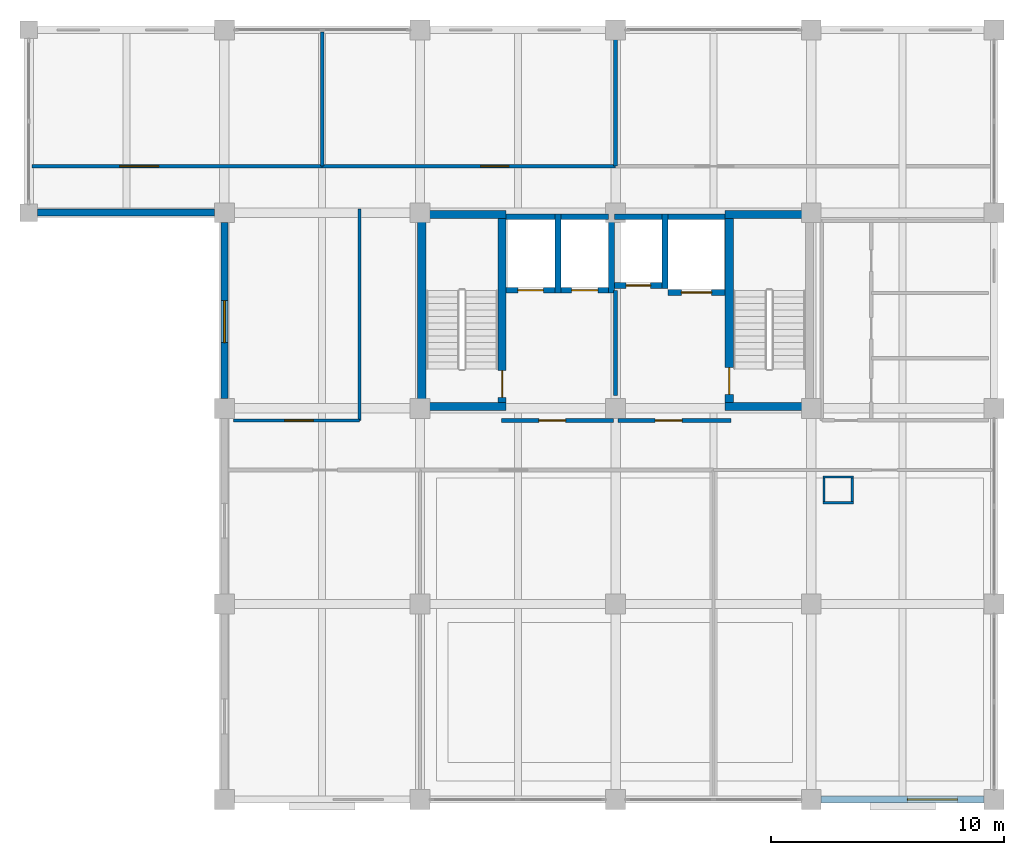
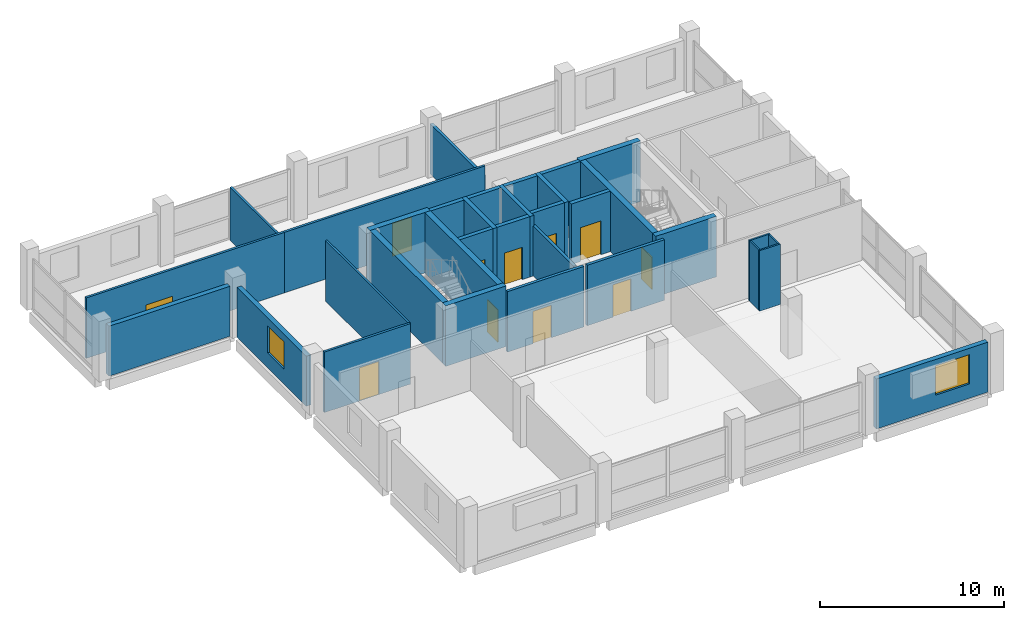
# One storey, part 7 of 9: 34 walls, 11 doors, 2 windows, 13 openings.
"""IFC4 building model written with IfcOpenShell, lengths in metres."""

from ifc_helpers import new_model, si_unit, direction, frame, frame_2d, origin, place, context, subcontext, project, spatial, rectangle, extrude, material, layer, layer_set, type_object, element, fill, save


model = new_model("IFC4")

# Units and contexts
model_context = context("Model", 3, precision=1e-05, world=origin(), true_north=direction((0.0, 1.0)))
body_context = subcontext(model_context, "Body", "Model", "MODEL_VIEW")
ifc_project = project(units=[si_unit("LENGTHUNIT", "METRE"), si_unit("AREAUNIT", "SQUARE_METRE"), si_unit("VOLUMEUNIT", "CUBIC_METRE"), si_unit("PLANEANGLEUNIT", "RADIAN"), si_unit("MASSUNIT", "GRAM", prefix="KILO")], contexts=[model_context])

# Site, building, storey
site_placement = place(None, origin())
site = spatial("IfcSite", under=ifc_project, at=site_placement, CompositionType="ELEMENT")
building_placement = place(site_placement, origin())
building = spatial("IfcBuilding", under=site, at=building_placement, Name="Brinegate Botanical Conservatory", CompositionType="ELEMENT")
storey_placement = place(building_placement, frame((0.0, 0.0, 36.0)))
storey = spatial("IfcBuildingStorey", under=building, at=storey_placement, Name="L09", CompositionType="ELEMENT", Elevation=36.0)

# Wall, opening, window
ifc_material_1 = material(Name="Insulated Minnan red clay brick masonry", Category="masonry")
ifc_layer_1 = layer(ifc_material_1, 0.300048828125, Name="Insulated Minnan red clay brick masonry", Category="masonry")
ifc_layer_set_1 = layer_set([ifc_layer_1], Name="Insulated Minnan red clay brick masonry")
wall_type_1 = type_object("IfcWallType", Name="Wall_EW-300B", PredefinedType="STANDARD", material=ifc_layer_set_1)
wall_1_placement = place(storey_placement, frame((163.02490234375, 78.39990234375, 0.0), z_axis=(0.0, 0.0, 1.0), x_axis=(-1.0, 0.0, 0.0)))
wall_1 = element("IfcWall", 1, at=wall_1_placement, inside=storey, type_object=wall_type_1, Name="Tower south facade wall L09.4", PredefinedType="STANDARD", context=body_context, shape_type="SweptSolid", body=[
    extrude(rectangle(XDim=7.0, YDim=0.300048828125, at=frame_2d((3.5, 0.0))), origin(), (0.0, 0.0, 1.0), 3.320068359375),
])
opening_1_placement = place(wall_1_placement, frame((1.14990234375, 0.0, 0.949951171875)))
opening_1 = element("IfcOpeningElement", 2, at=opening_1_placement, cuts=wall_1, Name="Opening WN-24", PredefinedType="OPENING", context=body_context, shape_type="SweptSolid", body=[
    extrude(rectangle(XDim=2.14990234375, YDim=1.949951171875, at=frame_2d((1.074951171875, 0.97509765625))), frame((0.0, 0.159912109375, 0.0), z_axis=(0.0, -1.0, 0.0), x_axis=(1.0, 0.0, 0.0)), (0.0, 0.0, 1.0), 0.320068359375),
])
ifc_material_2 = material(Name="Thermally broken aluminium-framed Low-E glass", Category="aluminium")
window_type_1 = type_object("IfcWindowType", Name="Win_WN-24", PartitioningType="DOUBLE_PANEL_VERTICAL", PredefinedType="WINDOW", material=ifc_material_2)
window_1_placement = place(opening_1_placement, origin())
window_1 = element("IfcWindow", 3, at=window_1_placement, inside=storey, type_object=window_type_1, Name="Tower south window L09.4", OverallHeight=1.949951171875, OverallWidth=2.14990234375, PartitioningType="DOUBLE_PANEL_VERTICAL", PredefinedType="WINDOW", context=body_context, shape_type="SweptSolid", body=[
    extrude(rectangle(XDim=2.14990234375, YDim=1.949951171875, at=frame_2d((1.074951171875, 0.97509765625))), frame((0.0, 0.030029296875, 0.0), z_axis=(0.0, -1.0, 0.0), x_axis=(1.0, 0.0, 0.0)), (0.0, 0.0, 1.0), 0.06005859375),
])
fill(opening_1, window_1)

wall_2_placement = place(storey_placement, frame((130.39990234375, 95.625, 0.0), z_axis=(0.0, 0.0, 1.0), x_axis=(0.0, 1.0, 0.0)))
wall_2 = element("IfcWall", 4, at=wall_2_placement, inside=storey, type_object=wall_type_1, Name="Tower mid-west wall L09", PredefinedType="STANDARD", context=body_context, shape_type="SweptSolid", body=[
    extrude(rectangle(XDim=7.550048828125, YDim=0.300048828125, at=frame_2d((3.77490234375, 0.0))), origin(), (0.0, 0.0, 1.0), 3.320068359375),
])
opening_2_placement = place(wall_2_placement, frame((2.39990234375, 0.0, 1.0)))
opening_2 = element("IfcOpeningElement", 5, at=opening_2_placement, cuts=wall_2, Name="Opening WN-05", PredefinedType="OPENING", context=body_context, shape_type="SweptSolid", body=[
    extrude(rectangle(XDim=1.800048828125, YDim=1.800048828125, at=frame_2d((0.89990234375, 0.89990234375))), frame((0.0, 0.159912109375, 0.0), z_axis=(0.0, -1.0, 0.0), x_axis=(1.0, 0.0, 0.0)), (0.0, 0.0, 1.0), 0.320068359375),
])
window_type_2 = type_object("IfcWindowType", Name="Win_WN-05", PartitioningType="DOUBLE_PANEL_VERTICAL", PredefinedType="WINDOW", material=ifc_material_2)
window_2_placement = place(opening_2_placement, origin())
window_2 = element("IfcWindow", 6, at=window_2_placement, inside=storey, type_object=window_type_2, Name="Tower mid-west window L09", OverallHeight=1.800048828125, OverallWidth=1.800048828125, PartitioningType="DOUBLE_PANEL_VERTICAL", PredefinedType="WINDOW", context=body_context, shape_type="SweptSolid", body=[
    extrude(rectangle(XDim=1.800048828125, YDim=1.800048828125, at=frame_2d((0.89990234375, 0.89990234375))), frame((0.0, 0.030029296875, 0.0), z_axis=(0.0, -1.0, 0.0), x_axis=(1.0, 0.0, 0.0)), (0.0, 0.0, 1.0), 0.06005859375),
])
fill(opening_2, window_2)

# Walls
wall_3_placement = place(storey_placement, frame((129.97509765625, 103.60009765625, 0.0), z_axis=(0.0, 0.0, 1.0), x_axis=(-1.0, 0.0, 0.0)))
element("IfcWall", 7, at=wall_3_placement, inside=storey, type_object=wall_type_1, Name="Tower west setback return wall L09", PredefinedType="STANDARD", context=body_context, shape_type="SweptSolid", body=[
    extrude(rectangle(XDim=7.60009765625, YDim=0.300048828125, at=frame_2d((3.800048828125, 0.0))), origin(), (0.0, 0.0, 1.0), 3.320068359375),
])
ifc_material_3 = material(Name="Gypsum-clad steel-stud fire-rated shaft partition", Category="steel")
ifc_layer_2 = layer(ifc_material_3, 0.10498046875, Name="Gypsum-clad steel-stud fire-rated shaft partition", Category="steel")
ifc_layer_set_2 = layer_set([ifc_layer_2], Name="Gypsum-clad steel-stud fire-rated shaft partition")
wall_type_2 = type_object("IfcWallType", Name="Wall_PW-105", PredefinedType="PARTITIONING", material=ifc_layer_set_2)
for number, where, z_axis, x_axis, name in (
    (8, (156.094970703125, 91.1474609375, 0.0), (0.0, 0.0, 1.0), (1.0, 0.0, 0.0), "Service riser shaft wall L09 S"),
    (9, (156.094970703125, 92.25244140625, 0.0), (0.0, 0.0, 1.0), (1.0, 0.0, 0.0), "Service riser shaft wall L09 N"),
):
    element("IfcWall", number, at=place(storey_placement, frame(where, z_axis=z_axis, x_axis=x_axis)), inside=storey, type_object=wall_type_2, Name=name, PredefinedType="PARTITIONING", context=body_context, shape_type="SweptSolid", body=[
        extrude(rectangle(XDim=1.31005859375, YDim=0.10498046875, at=frame_2d((0.655029296875, 0.0))), origin(), (0.0, 0.0, 1.0), 4.02001953125),
    ])
for number, where, z_axis, x_axis, name in (
    (10, (156.1474609375, 91.199951171875, 0.0), (0.0, 0.0, 1.0), (0.0, 1.0, 0.0), "Service riser shaft wall L09 W"),
    (11, (157.3525390625, 91.199951171875, 0.0), (0.0, 0.0, 1.0), (0.0, 1.0, 0.0), "Service riser shaft wall L09 E"),
):
    element("IfcWall", number, at=place(storey_placement, frame(where, z_axis=z_axis, x_axis=x_axis)), inside=storey, type_object=wall_type_2, Name=name, PredefinedType="PARTITIONING", context=body_context, shape_type="SweptSolid", body=[
        extrude(rectangle(XDim=1.0, YDim=0.10498046875, at=frame_2d((0.5, 0.0))), origin(), (0.0, 0.0, 1.0), 4.02001953125),
    ])
ifc_material_4 = material(Name="Gypsum-clad steel-stud partition", Category="steel")
ifc_layer_3 = layer(ifc_material_4, 0.1201171875, Name="Gypsum-clad steel-stud partition", Category="steel")
ifc_layer_set_3 = layer_set([ifc_layer_3], Name="Gypsum-clad steel-stud partition")
wall_type_3 = type_object("IfcWallType", Name="Wall_PW-120", PredefinedType="PARTITIONING", material=ifc_layer_set_3)
wall_4_placement = place(storey_placement, frame((136.199951171875, 94.679931640625, 0.0), z_axis=(0.0, 0.0, 1.0), x_axis=(0.0, 1.0, 0.0)))
element("IfcWall", 12, at=wall_4_placement, inside=storey, type_object=wall_type_3, Name="Interior partition P-L09-XCORR-W", PredefinedType="PARTITIONING", context=body_context, shape_type="SweptSolid", body=[
    extrude(rectangle(XDim=9.070068359375, YDim=0.1201171875, at=frame_2d((4.53515625, 0.0))), origin(), (0.0, 0.0, 1.0), 4.02001953125),
])
ifc_layer_4 = layer(ifc_material_4, 0.135009765625, Name="Gypsum-clad steel-stud partition", Category="steel")
ifc_layer_set_4 = layer_set([ifc_layer_4], Name="Gypsum-clad steel-stud partition")
wall_type_4 = type_object("IfcWallType", Name="Wall_PW-135", PredefinedType="PARTITIONING", material=ifc_layer_set_4)
wall_5_placement = place(storey_placement, frame((134.60009765625, 105.60009765625, 0.0), z_axis=(0.0, 0.0, 1.0), x_axis=(0.0, 1.0, 0.0)))
element("IfcWall", 13, at=wall_5_placement, inside=storey, type_object=wall_type_4, Name="Interior partition P-L09-NDIV-N2", PredefinedType="PARTITIONING", context=body_context, shape_type="SweptSolid", body=[
    extrude(rectangle(XDim=5.75, YDim=0.135009765625, at=frame_2d((2.875, 0.0))), origin(), (0.0, 0.0, 1.0), 3.52001953125),
])

# Wall, opening, door
ifc_material_5 = material(Name="Gypsum-clad acoustic steel-stud partition", Category="steel")
ifc_layer_5 = layer(ifc_material_5, 0.14501953125, Name="Gypsum-clad acoustic steel-stud partition", Category="steel")
ifc_layer_set_5 = layer_set([ifc_layer_5], Name="Gypsum-clad acoustic steel-stud partition")
wall_type_5 = type_object("IfcWallType", Name="Wall_PW-150", PredefinedType="PARTITIONING", material=ifc_layer_set_5)
wall_6_placement = place(storey_placement, frame((130.800048828125, 94.679931640625, 0.0), z_axis=(0.0, 0.0, 1.0), x_axis=(1.0, 0.0, 0.0)))
wall_6 = element("IfcWall", 14, at=wall_6_placement, inside=storey, type_object=wall_type_5, Name="Interior partition P-L09-MIDW-S", PredefinedType="PARTITIONING", context=body_context, shape_type="SweptSolid", body=[
    extrude(rectangle(XDim=5.39990234375, YDim=0.14501953125, at=frame_2d((2.699951171875, 0.0))), origin(), (0.0, 0.0, 1.0), 4.02001953125),
])
opening_3_placement = place(wall_6_placement, frame((2.199951171875, 0.0, 0.0)))
opening_3 = element("IfcOpeningElement", 15, at=opening_3_placement, cuts=wall_6, Name="Opening DR-07", PredefinedType="OPENING", context=body_context, shape_type="SweptSolid", body=[
    extrude(rectangle(XDim=1.219970703125, YDim=2.199951171875, at=frame_2d((0.60986328125, 1.10009765625))), frame((0.0, 0.08251953125, 0.0), z_axis=(0.0, -1.0, 0.0), x_axis=(1.0, 0.0, 0.0)), (0.0, 0.0, 1.0), 0.1650390625),
])
ifc_material_6 = material(Name="Acoustic cleanroom door", Category="steel")
door_type_1 = type_object("IfcDoorType", Name="Door_DR-07", OperationType="NOTDEFINED", PredefinedType="DOOR", material=ifc_material_6)
door_1_placement = place(opening_3_placement, origin())
door_1 = element("IfcDoor", 16, at=door_1_placement, inside=storey, type_object=door_type_1, Name="DR-P-L09-MIDW-S-1", OperationType="SINGLE_SWING_RIGHT", OverallHeight=2.199951171875, OverallWidth=1.219970703125, PredefinedType="DOOR", context=body_context, shape_type="SweptSolid", body=[
    extrude(rectangle(XDim=1.219970703125, YDim=2.199951171875, at=frame_2d((0.60986328125, 1.10009765625))), frame((0.0, 0.02490234375, 0.0), z_axis=(0.0, -1.0, 0.0), x_axis=(1.0, 0.0, 0.0)), (0.0, 0.0, 1.0), 0.050048828125),
])
fill(opening_3, door_1)

wall_7_placement = place(storey_placement, frame((122.14990234375, 105.60009765625, 0.0), z_axis=(0.0, 0.0, 1.0), x_axis=(1.0, 0.0, 0.0)))
wall_7 = element("IfcWall", 17, at=wall_7_placement, inside=storey, type_object=wall_type_5, Name="Interior partition P-L09-NB-N1", PredefinedType="PARTITIONING", context=body_context, shape_type="SweptSolid", body=[
    extrude(rectangle(XDim=12.4501953125, YDim=0.14501953125, at=frame_2d((6.22509765625, 0.0))), origin(), (0.0, 0.0, 1.0), 4.02001953125),
])
opening_4_placement = place(wall_7_placement, frame((3.75, 0.0, 0.0)))
opening_4 = element("IfcOpeningElement", 18, at=opening_4_placement, cuts=wall_7, Name="Opening DR-23", PredefinedType="OPENING", context=body_context, shape_type="SweptSolid", body=[
    extrude(rectangle(XDim=1.679931640625, YDim=2.239990234375, at=frame_2d((0.83984375, 1.1201171875))), frame((0.0, 0.08251953125, 0.0), z_axis=(0.0, -1.0, 0.0), x_axis=(1.0, 0.0, 0.0)), (0.0, 0.0, 1.0), 0.1650390625),
])
ifc_material_7 = material(Name="Powder-coated steel lab door", Category="steel")
door_type_2 = type_object("IfcDoorType", Name="Door_DR-23", OperationType="NOTDEFINED", PredefinedType="DOOR", material=ifc_material_7)
door_2_placement = place(opening_4_placement, origin())
door_2 = element("IfcDoor", 19, at=door_2_placement, inside=storey, type_object=door_type_2, Name="DR-P-L09-NB-N1-1", OperationType="SINGLE_SWING_LEFT", OverallHeight=2.239990234375, OverallWidth=1.679931640625, PredefinedType="DOOR", context=body_context, shape_type="SweptSolid", body=[
    extrude(rectangle(XDim=1.679931640625, YDim=2.239990234375, at=frame_2d((0.83984375, 1.1201171875))), frame((0.0, 0.02490234375, 0.0), z_axis=(0.0, -1.0, 0.0), x_axis=(1.0, 0.0, 0.0)), (0.0, 0.0, 1.0), 0.050048828125),
])
fill(opening_4, door_2)

wall_8_placement = place(storey_placement, frame((134.60009765625, 105.60009765625, 0.0), z_axis=(0.0, 0.0, 1.0), x_axis=(1.0, 0.0, 0.0)))
wall_8 = element("IfcWall", 20, at=wall_8_placement, inside=storey, type_object=wall_type_5, Name="Interior partition P-L09-NB-N2", PredefinedType="PARTITIONING", context=body_context, shape_type="SweptSolid", body=[
    extrude(rectangle(XDim=12.599853515625, YDim=0.14501953125, at=frame_2d((6.2998046875, 0.0))), origin(), (0.0, 0.0, 1.0), 4.02001953125),
])
opening_5_placement = place(wall_8_placement, frame((6.800048828125, 0.0, 0.0)))
opening_5 = element("IfcOpeningElement", 21, at=opening_5_placement, cuts=wall_8, Name="Opening DR-07", PredefinedType="OPENING", context=body_context, shape_type="SweptSolid", body=[
    extrude(rectangle(XDim=1.219970703125, YDim=2.199951171875, at=frame_2d((0.60986328125, 1.10009765625))), frame((0.0, 0.08251953125, 0.0), z_axis=(0.0, -1.0, 0.0), x_axis=(1.0, 0.0, 0.0)), (0.0, 0.0, 1.0), 0.1650390625),
])
door_3_placement = place(opening_5_placement, origin())
door_3 = element("IfcDoor", 22, at=door_3_placement, inside=storey, type_object=door_type_1, Name="DR-P-L09-NB-N2-1", OperationType="SINGLE_SWING_RIGHT", OverallHeight=2.199951171875, OverallWidth=1.219970703125, PredefinedType="DOOR", context=body_context, shape_type="SweptSolid", body=[
    extrude(rectangle(XDim=1.219970703125, YDim=2.199951171875, at=frame_2d((0.60986328125, 1.10009765625))), frame((0.0, 0.02490234375, 0.0), z_axis=(0.0, -1.0, 0.0), x_axis=(1.0, 0.0, 0.0)), (0.0, 0.0, 1.0), 0.050048828125),
])
fill(opening_5, door_3)

ifc_material_8 = material(Name="Autoclaved aerated concrete C40/50 blockwork", Category="masonry")
ifc_layer_6 = layer(ifc_material_8, 0.179931640625, Name="Autoclaved aerated concrete C40/50 blockwork", Category="masonry")
ifc_layer_set_6 = layer_set([ifc_layer_6], Name="Autoclaved aerated concrete C40/50 blockwork")
wall_type_6 = type_object("IfcWallType", Name="Wall_PW-180F", PredefinedType="STANDARD", material=ifc_layer_set_6)
wall_9_placement = place(storey_placement, frame((142.300048828125, 94.679931640625, 0.0), z_axis=(0.0, 0.0, 1.0), x_axis=(1.0, 0.0, 0.0)))
wall_9 = element("IfcWall", 23, at=wall_9_placement, inside=storey, type_object=wall_type_6, Name="Interior partition P-L09-CORE-FF", PredefinedType="STANDARD", context=body_context, shape_type="SweptSolid", body=[
    extrude(rectangle(XDim=4.800048828125, YDim=0.179931640625, at=frame_2d((2.39990234375, 0.0))), origin(), (0.0, 0.0, 1.0), 4.02001953125),
])
opening_6_placement = place(wall_9_placement, frame((1.60009765625, 0.0, 0.0)))
opening_6 = element("IfcOpeningElement", 24, at=opening_6_placement, cuts=wall_9, Name="Opening FD-B1", PredefinedType="OPENING", context=body_context, shape_type="SweptSolid", body=[
    extrude(rectangle(XDim=1.14990234375, YDim=2.14990234375, at=frame_2d((0.574951171875, 1.074951171875))), frame((0.0, 0.099853515625, 0.0), z_axis=(0.0, -1.0, 0.0), x_axis=(1.0, 0.0, 0.0)), (0.0, 0.0, 1.0), 0.199951171875),
])
ifc_material_9 = material(Name="Steel smoke-proof fire door assembly", Category="steel")
door_type_3 = type_object("IfcDoorType", Name="Door_FD-B1", OperationType="NOTDEFINED", PredefinedType="DOOR", material=ifc_material_9)
door_4_placement = place(opening_6_placement, origin())
door_4 = element("IfcDoor", 25, at=door_4_placement, inside=storey, type_object=door_type_3, Name="DR-P-L09-CORE-FF-1", OperationType="SINGLE_SWING_LEFT", OverallHeight=2.14990234375, OverallWidth=1.14990234375, PredefinedType="DOOR", context=body_context, shape_type="SweptSolid", body=[
    extrude(rectangle(XDim=1.14990234375, YDim=2.14990234375, at=frame_2d((0.574951171875, 1.074951171875))), frame((0.0, 0.02490234375, 0.0), z_axis=(0.0, -1.0, 0.0), x_axis=(1.0, 0.0, 0.0)), (0.0, 0.0, 1.0), 0.050048828125),
])
fill(opening_6, door_4)

wall_10_placement = place(storey_placement, frame((147.300048828125, 94.679931640625, 0.0), z_axis=(0.0, 0.0, 1.0), x_axis=(1.0, 0.0, 0.0)))
wall_10 = element("IfcWall", 26, at=wall_10_placement, inside=storey, type_object=wall_type_6, Name="Interior partition P-L09-CORE-PAX", PredefinedType="STANDARD", context=body_context, shape_type="SweptSolid", body=[
    extrude(rectangle(XDim=4.849853515625, YDim=0.179931640625, at=frame_2d((2.4248046875, 0.0))), origin(), (0.0, 0.0, 1.0), 4.02001953125),
])
opening_7_placement = place(wall_10_placement, frame((1.60009765625, 0.0, 0.0)))
opening_7 = element("IfcOpeningElement", 27, at=opening_7_placement, cuts=wall_10, Name="Opening FD-B1", PredefinedType="OPENING", context=body_context, shape_type="SweptSolid", body=[
    extrude(rectangle(XDim=1.14990234375, YDim=2.14990234375, at=frame_2d((0.574951171875, 1.074951171875))), frame((0.0, 0.099853515625, 0.0), z_axis=(0.0, -1.0, 0.0), x_axis=(1.0, 0.0, 0.0)), (0.0, 0.0, 1.0), 0.199951171875),
])
door_5_placement = place(opening_7_placement, origin())
door_5 = element("IfcDoor", 28, at=door_5_placement, inside=storey, type_object=door_type_3, Name="DR-P-L09-CORE-PAX-1", OperationType="SINGLE_SWING_RIGHT", OverallHeight=2.14990234375, OverallWidth=1.14990234375, PredefinedType="DOOR", context=body_context, shape_type="SweptSolid", body=[
    extrude(rectangle(XDim=1.14990234375, YDim=2.14990234375, at=frame_2d((0.574951171875, 1.074951171875))), frame((0.0, 0.02490234375, 0.0), z_axis=(0.0, -1.0, 0.0), x_axis=(1.0, 0.0, 0.0)), (0.0, 0.0, 1.0), 0.050048828125),
])
fill(opening_7, door_5)

# Walls
wall_11_placement = place(storey_placement, frame((147.199951171875, 95.75, 0.0), z_axis=(0.0, 0.0, 1.0), x_axis=(0.0, 1.0, 0.0)))
element("IfcWall", 29, at=wall_11_placement, inside=storey, type_object=wall_type_6, Name="Interior partition P-L09-CORE-DIV", PredefinedType="STANDARD", context=body_context, shape_type="SweptSolid", body=[
    extrude(rectangle(XDim=4.5, YDim=0.179931640625, at=frame_2d((2.25, 0.0))), origin(), (0.0, 0.0, 1.0), 3.320068359375),
])
wall_12_placement = place(storey_placement, frame((147.199951171875, 105.60009765625, 0.0), z_axis=(0.0, 0.0, 1.0), x_axis=(0.0, 1.0, 0.0)))
element("IfcWall", 30, at=wall_12_placement, inside=storey, type_object=wall_type_6, Name="Interior partition P-L09-NDIV-N3", PredefinedType="STANDARD", context=body_context, shape_type="SweptSolid", body=[
    extrude(rectangle(XDim=5.75, YDim=0.179931640625, at=frame_2d((2.875, 0.0))), origin(), (0.0, 0.0, 1.0), 3.320068359375),
])

# Wall, opening, door
ifc_material_10 = material(Name="Concrete C40/50", Category="concrete")
ifc_layer_7 = layer(ifc_material_10, 0.25, Name="Concrete C40/50", Category="concrete")
ifc_layer_set_7 = layer_set([ifc_layer_7], Name="Concrete C40/50")
wall_type_7 = type_object("IfcWallType", Name="Wall_SW-250", PredefinedType="SHEAR", material=ifc_layer_set_7)
wall_13_placement = place(storey_placement, frame((142.5, 100.27490234375, 0.0), z_axis=(0.0, 0.0, 1.0), x_axis=(1.0, 0.0, 0.0)))
wall_13 = element("IfcWall", 31, at=wall_13_placement, inside=storey, type_object=wall_type_7, Name="Lift shaft LF1 shear wall L09 S", PredefinedType="SHEAR", context=body_context, shape_type="SweptSolid", body=[
    extrude(rectangle(XDim=2.10009765625, YDim=0.25, at=frame_2d((1.050048828125, 0.0))), origin(), (0.0, 0.0, 1.0), 4.02001953125),
])
opening_8_placement = place(wall_13_placement, frame((0.5, 0.0, 0.0)))
opening_8 = element("IfcOpeningElement", 32, at=opening_8_placement, cuts=wall_13, Name="Opening LD-01", PredefinedType="OPENING", context=body_context, shape_type="SweptSolid", body=[
    extrude(rectangle(XDim=1.10009765625, YDim=2.14990234375, at=frame_2d((0.550048828125, 1.074951171875))), frame((0.0, 0.135009765625, 0.0), z_axis=(0.0, -1.0, 0.0), x_axis=(1.0, 0.0, 0.0)), (0.0, 0.0, 1.0), 0.27001953125),
])
ifc_material_11 = material(Name="Brushed stainless steel S355 landing door", Category="steel")
door_type_4 = type_object("IfcDoorType", Name="Door_LD-01", OperationType="SLIDING_TO_LEFT", PredefinedType="DOOR", material=ifc_material_11)
door_6_placement = place(opening_8_placement, origin())
door_6 = element("IfcDoor", 33, at=door_6_placement, inside=storey, type_object=door_type_4, Name="LD-LF1-L09", OperationType="SLIDING_TO_LEFT", OverallHeight=2.14990234375, OverallWidth=1.10009765625, PredefinedType="DOOR", context=body_context, shape_type="SweptSolid", body=[
    extrude(rectangle(XDim=1.10009765625, YDim=2.14990234375, at=frame_2d((0.550048828125, 1.074951171875))), frame((0.0, 0.02490234375, 0.0), z_axis=(0.0, -1.0, 0.0), x_axis=(1.0, 0.0, 0.0)), (0.0, 0.0, 1.0), 0.050048828125),
])
fill(opening_8, door_6)

# Walls
wall_14_placement = place(storey_placement, frame((142.5, 103.425048828125, 0.0), z_axis=(0.0, 0.0, 1.0), x_axis=(1.0, 0.0, 0.0)))
element("IfcWall", 34, at=wall_14_placement, inside=storey, type_object=wall_type_7, Name="Lift shaft LF1 shear wall L09 N", PredefinedType="SHEAR", context=body_context, shape_type="SweptSolid", body=[
    extrude(rectangle(XDim=2.10009765625, YDim=0.25, at=frame_2d((1.050048828125, 0.0))), origin(), (0.0, 0.0, 1.0), 4.02001953125),
])
wall_15_placement = place(storey_placement, frame((144.72509765625, 100.14990234375, 0.0), z_axis=(0.0, 0.0, 1.0), x_axis=(0.0, 1.0, 0.0)))
element("IfcWall", 35, at=wall_15_placement, inside=storey, type_object=wall_type_7, Name="Lift shaft LF1 shear wall L09 E", PredefinedType="SHEAR", context=body_context, shape_type="SweptSolid", body=[
    extrude(rectangle(XDim=3.400146484375, YDim=0.25, at=frame_2d((1.7001953125, 0.0))), origin(), (0.0, 0.0, 1.0), 4.02001953125),
])

# Wall, opening, door
wall_16_placement = place(storey_placement, frame((144.85009765625, 100.27490234375, 0.0), z_axis=(0.0, 0.0, 1.0), x_axis=(1.0, 0.0, 0.0)))
wall_16 = element("IfcWall", 36, at=wall_16_placement, inside=storey, type_object=wall_type_7, Name="Lift shaft LF2 shear wall L09 S", PredefinedType="SHEAR", context=body_context, shape_type="SweptSolid", body=[
    extrude(rectangle(XDim=2.0498046875, YDim=0.25, at=frame_2d((1.02490234375, 0.0))), origin(), (0.0, 0.0, 1.0), 4.02001953125),
])
opening_9_placement = place(wall_16_placement, frame((0.465087890625, 0.0, 0.0)))
opening_9 = element("IfcOpeningElement", 37, at=opening_9_placement, cuts=wall_16, Name="Opening LD-02", PredefinedType="OPENING", context=body_context, shape_type="SweptSolid", body=[
    extrude(rectangle(XDim=1.1201171875, YDim=2.14990234375, at=frame_2d((0.56005859375, 1.074951171875))), frame((0.0, 0.135009765625, 0.0), z_axis=(0.0, -1.0, 0.0), x_axis=(1.0, 0.0, 0.0)), (0.0, 0.0, 1.0), 0.27001953125),
])
door_type_5 = type_object("IfcDoorType", Name="Door_LD-02", OperationType="SLIDING_TO_LEFT", PredefinedType="DOOR", material=ifc_material_11)
door_7_placement = place(opening_9_placement, origin())
door_7 = element("IfcDoor", 38, at=door_7_placement, inside=storey, type_object=door_type_5, Name="LD-LF2-L09", OperationType="SLIDING_TO_LEFT", OverallHeight=2.14990234375, OverallWidth=1.1201171875, PredefinedType="DOOR", context=body_context, shape_type="SweptSolid", body=[
    extrude(rectangle(XDim=1.1201171875, YDim=2.14990234375, at=frame_2d((0.56005859375, 1.074951171875))), frame((0.0, 0.02490234375, 0.0), z_axis=(0.0, -1.0, 0.0), x_axis=(1.0, 0.0, 0.0)), (0.0, 0.0, 1.0), 0.050048828125),
])
fill(opening_9, door_7)

# Walls
wall_17_placement = place(storey_placement, frame((144.85009765625, 103.425048828125, 0.0), z_axis=(0.0, 0.0, 1.0), x_axis=(1.0, 0.0, 0.0)))
element("IfcWall", 39, at=wall_17_placement, inside=storey, type_object=wall_type_7, Name="Lift shaft LF2 shear wall L09 N", PredefinedType="SHEAR", context=body_context, shape_type="SweptSolid", body=[
    extrude(rectangle(XDim=2.0498046875, YDim=0.25, at=frame_2d((1.02490234375, 0.0))), origin(), (0.0, 0.0, 1.0), 4.02001953125),
])
wall_18_placement = place(storey_placement, frame((147.02490234375, 100.14990234375, 0.0), z_axis=(0.0, 0.0, 1.0), x_axis=(0.0, 1.0, 0.0)))
element("IfcWall", 40, at=wall_18_placement, inside=storey, type_object=wall_type_7, Name="Lift shaft LF2 shear wall L09 E", PredefinedType="SHEAR", context=body_context, shape_type="SweptSolid", body=[
    extrude(rectangle(XDim=3.400146484375, YDim=0.25, at=frame_2d((1.7001953125, 0.0))), origin(), (0.0, 0.0, 1.0), 4.02001953125),
])

# Wall, opening, door
wall_19_placement = place(storey_placement, frame((147.14990234375, 100.47509765625, 0.0), z_axis=(0.0, 0.0, 1.0), x_axis=(1.0, 0.0, 0.0)))
wall_19 = element("IfcWall", 41, at=wall_19_placement, inside=storey, type_object=wall_type_7, Name="Lift shaft LF3 shear wall L09 S", PredefinedType="SHEAR", context=body_context, shape_type="SweptSolid", body=[
    extrude(rectangle(XDim=2.050048828125, YDim=0.25, at=frame_2d((1.02490234375, 0.0))), origin(), (0.0, 0.0, 1.0), 4.02001953125),
])
opening_10_placement = place(wall_19_placement, frame((0.4951171875, 0.0, 0.0)))
opening_10 = element("IfcOpeningElement", 42, at=opening_10_placement, cuts=wall_19, Name="Opening LD-03", PredefinedType="OPENING", context=body_context, shape_type="SweptSolid", body=[
    extrude(rectangle(XDim=1.06005859375, YDim=2.14990234375, at=frame_2d((0.530029296875, 1.074951171875))), frame((0.0, 0.135009765625, 0.0), z_axis=(0.0, -1.0, 0.0), x_axis=(1.0, 0.0, 0.0)), (0.0, 0.0, 1.0), 0.27001953125),
])
door_type_6 = type_object("IfcDoorType", Name="Door_LD-03", OperationType="SLIDING_TO_LEFT", PredefinedType="DOOR", material=ifc_material_11)
door_8_placement = place(opening_10_placement, origin())
door_8 = element("IfcDoor", 43, at=door_8_placement, inside=storey, type_object=door_type_6, Name="LD-LF3-L09", OperationType="SLIDING_TO_LEFT", OverallHeight=2.14990234375, OverallWidth=1.06005859375, PredefinedType="DOOR", context=body_context, shape_type="SweptSolid", body=[
    extrude(rectangle(XDim=1.06005859375, YDim=2.14990234375, at=frame_2d((0.530029296875, 1.074951171875))), frame((0.0, 0.02490234375, 0.0), z_axis=(0.0, -1.0, 0.0), x_axis=(1.0, 0.0, 0.0)), (0.0, 0.0, 1.0), 0.050048828125),
])
fill(opening_10, door_8)

# Walls
wall_20_placement = place(storey_placement, frame((147.14990234375, 103.425048828125, 0.0), z_axis=(0.0, 0.0, 1.0), x_axis=(1.0, 0.0, 0.0)))
element("IfcWall", 44, at=wall_20_placement, inside=storey, type_object=wall_type_7, Name="Lift shaft LF3 shear wall L09 N", PredefinedType="SHEAR", context=body_context, shape_type="SweptSolid", body=[
    extrude(rectangle(XDim=2.050048828125, YDim=0.25, at=frame_2d((1.02490234375, 0.0))), origin(), (0.0, 0.0, 1.0), 4.02001953125),
])
wall_21_placement = place(storey_placement, frame((149.324951171875, 100.35009765625, 0.0), z_axis=(0.0, 0.0, 1.0), x_axis=(0.0, 1.0, 0.0)))
element("IfcWall", 45, at=wall_21_placement, inside=storey, type_object=wall_type_7, Name="Lift shaft LF3 shear wall L09 E", PredefinedType="SHEAR", context=body_context, shape_type="SweptSolid", body=[
    extrude(rectangle(XDim=3.199951171875, YDim=0.25, at=frame_2d((1.60009765625, 0.0))), origin(), (0.0, 0.0, 1.0), 4.02001953125),
])

# Wall, opening, door
wall_22_placement = place(storey_placement, frame((149.449951171875, 100.175048828125, 0.0), z_axis=(0.0, 0.0, 1.0), x_axis=(1.0, 0.0, 0.0)))
wall_22 = element("IfcWall", 46, at=wall_22_placement, inside=storey, type_object=wall_type_7, Name="Lift shaft LF4 shear wall L09 S", PredefinedType="SHEAR", context=body_context, shape_type="SweptSolid", body=[
    extrude(rectangle(XDim=2.449951171875, YDim=0.25, at=frame_2d((1.22509765625, 0.0))), origin(), (0.0, 0.0, 1.0), 4.02001953125),
])
opening_11_placement = place(wall_22_placement, frame((0.574951171875, 0.0, 0.0)))
opening_11 = element("IfcOpeningElement", 47, at=opening_11_placement, cuts=wall_22, Name="Opening LD-04", PredefinedType="OPENING", context=body_context, shape_type="SweptSolid", body=[
    extrude(rectangle(XDim=1.300048828125, YDim=2.25, at=frame_2d((0.64990234375, 1.125))), frame((0.0, 0.135009765625, 0.0), z_axis=(0.0, -1.0, 0.0), x_axis=(1.0, 0.0, 0.0)), (0.0, 0.0, 1.0), 0.27001953125),
])
door_type_7 = type_object("IfcDoorType", Name="Door_LD-04", OperationType="SLIDING_TO_LEFT", PredefinedType="DOOR", material=ifc_material_11)
door_9_placement = place(opening_11_placement, origin())
door_9 = element("IfcDoor", 48, at=door_9_placement, inside=storey, type_object=door_type_7, Name="LD-LF4-L09", OperationType="SLIDING_TO_LEFT", OverallHeight=2.25, OverallWidth=1.300048828125, PredefinedType="DOOR", context=body_context, shape_type="SweptSolid", body=[
    extrude(rectangle(XDim=1.300048828125, YDim=2.25, at=frame_2d((0.64990234375, 1.125))), frame((0.0, 0.02490234375, 0.0), z_axis=(0.0, -1.0, 0.0), x_axis=(1.0, 0.0, 0.0)), (0.0, 0.0, 1.0), 0.050048828125),
])
fill(opening_11, door_9)

# Walls
wall_23_placement = place(storey_placement, frame((149.449951171875, 103.425048828125, 0.0), z_axis=(0.0, 0.0, 1.0), x_axis=(1.0, 0.0, 0.0)))
element("IfcWall", 49, at=wall_23_placement, inside=storey, type_object=wall_type_7, Name="Lift shaft LF4 shear wall L09 N", PredefinedType="SHEAR", context=body_context, shape_type="SweptSolid", body=[
    extrude(rectangle(XDim=2.449951171875, YDim=0.25, at=frame_2d((1.22509765625, 0.0))), origin(), (0.0, 0.0, 1.0), 4.02001953125),
])
ifc_layer_8 = layer(ifc_material_10, 0.35009765625, Name="Concrete C40/50", Category="concrete")
ifc_layer_set_8 = layer_set([ifc_layer_8], Name="Concrete C40/50")
wall_type_8 = type_object("IfcWallType", Name="Wall_SW-350", PredefinedType="SHEAR", material=ifc_layer_set_8)
for number, where, z_axis, x_axis, name in (
    (50, (138.699951171875, 95.27490234375, 0.0), (0.0, 0.0, 1.0), (1.0, 0.0, 0.0), "Stairwell ST1 shear wall L09 S"),
    (51, (138.699951171875, 103.52490234375, 0.0), (0.0, 0.0, 1.0), (1.0, 0.0, 0.0), "Stairwell ST1 shear wall L09 N"),
):
    element("IfcWall", number, at=place(storey_placement, frame(where, z_axis=z_axis, x_axis=x_axis)), inside=storey, type_object=wall_type_8, Name=name, PredefinedType="SHEAR", context=body_context, shape_type="SweptSolid", body=[
        extrude(rectangle(XDim=3.800048828125, YDim=0.35009765625, at=frame_2d((1.89990234375, 0.0))), origin(), (0.0, 0.0, 1.0), 4.02001953125),
    ])
wall_24_placement = place(storey_placement, frame((138.875, 95.449951171875, 0.0), z_axis=(0.0, 0.0, 1.0), x_axis=(0.0, 1.0, 0.0)))
element("IfcWall", 52, at=wall_24_placement, inside=storey, type_object=wall_type_8, Name="Stairwell ST1 shear wall L09 W", PredefinedType="SHEAR", context=body_context, shape_type="SweptSolid", body=[
    extrude(rectangle(XDim=7.900146484375, YDim=0.35009765625, at=frame_2d((3.9501953125, 0.0))), origin(), (0.0, 0.0, 1.0), 4.02001953125),
])

# Wall, opening, door
wall_25_placement = place(storey_placement, frame((142.324951171875, 95.449951171875, 0.0), z_axis=(0.0, 0.0, 1.0), x_axis=(0.0, 1.0, 0.0)))
wall_25 = element("IfcWall", 53, at=wall_25_placement, inside=storey, type_object=wall_type_8, Name="Stairwell ST1 shear wall L09 E", PredefinedType="SHEAR", context=body_context, shape_type="SweptSolid", body=[
    extrude(rectangle(XDim=7.900146484375, YDim=0.35009765625, at=frame_2d((3.9501953125, 0.0))), origin(), (0.0, 0.0, 1.0), 4.02001953125),
])
opening_12_placement = place(wall_25_placement, frame((0.219970703125, 0.0, 0.0)))
opening_12 = element("IfcOpeningElement", 54, at=opening_12_placement, cuts=wall_25, Name="Opening FD-B1", PredefinedType="OPENING", context=body_context, shape_type="SweptSolid", body=[
    extrude(rectangle(XDim=1.14990234375, YDim=2.14990234375, at=frame_2d((0.574951171875, 1.074951171875))), frame((0.0, 0.18505859375, 0.0), z_axis=(0.0, -1.0, 0.0), x_axis=(1.0, 0.0, 0.0)), (0.0, 0.0, 1.0), 0.3701171875),
])
door_10_placement = place(opening_12_placement, origin())
door_10 = element("IfcDoor", 55, at=door_10_placement, inside=storey, type_object=door_type_3, Name="DR-ST-ST1-L09", OperationType="SINGLE_SWING_LEFT", OverallHeight=2.14990234375, OverallWidth=1.14990234375, PredefinedType="DOOR", context=body_context, shape_type="SweptSolid", body=[
    extrude(rectangle(XDim=1.14990234375, YDim=2.14990234375, at=frame_2d((0.574951171875, 1.074951171875))), frame((0.0, 0.02490234375, 0.0), z_axis=(0.0, -1.0, 0.0), x_axis=(1.0, 0.0, 0.0)), (0.0, 0.0, 1.0), 0.050048828125),
])
fill(opening_12, door_10)

# Walls
for number, where, z_axis, x_axis, name in (
    (56, (151.89990234375, 95.27490234375, 0.0), (0.0, 0.0, 1.0), (1.0, 0.0, 0.0), "Stairwell ST2 shear wall L09 S"),
    (57, (151.89990234375, 103.52490234375, 0.0), (0.0, 0.0, 1.0), (1.0, 0.0, 0.0), "Stairwell ST2 shear wall L09 N"),
):
    element("IfcWall", number, at=place(storey_placement, frame(where, z_axis=z_axis, x_axis=x_axis)), inside=storey, type_object=wall_type_8, Name=name, PredefinedType="SHEAR", context=body_context, shape_type="SweptSolid", body=[
        extrude(rectangle(XDim=3.800048828125, YDim=0.35009765625, at=frame_2d((1.89990234375, 0.0))), origin(), (0.0, 0.0, 1.0), 4.02001953125),
    ])

# Wall, opening, door
wall_26_placement = place(storey_placement, frame((152.074951171875, 95.449951171875, 0.0), z_axis=(0.0, 0.0, 1.0), x_axis=(0.0, 1.0, 0.0)))
wall_26 = element("IfcWall", 58, at=wall_26_placement, inside=storey, type_object=wall_type_8, Name="Stairwell ST2 shear wall L09 W", PredefinedType="SHEAR", context=body_context, shape_type="SweptSolid", body=[
    extrude(rectangle(XDim=7.900146484375, YDim=0.35009765625, at=frame_2d((3.9501953125, 0.0))), origin(), (0.0, 0.0, 1.0), 4.02001953125),
])
opening_13_placement = place(wall_26_placement, frame((0.35009765625, 0.0, 0.0)))
opening_13 = element("IfcOpeningElement", 59, at=opening_13_placement, cuts=wall_26, Name="Opening FD-B1", PredefinedType="OPENING", context=body_context, shape_type="SweptSolid", body=[
    extrude(rectangle(XDim=1.14990234375, YDim=2.14990234375, at=frame_2d((0.574951171875, 1.074951171875))), frame((0.0, 0.18505859375, 0.0), z_axis=(0.0, -1.0, 0.0), x_axis=(1.0, 0.0, 0.0)), (0.0, 0.0, 1.0), 0.3701171875),
])
door_11_placement = place(opening_13_placement, origin())
door_11 = element("IfcDoor", 60, at=door_11_placement, inside=storey, type_object=door_type_3, Name="DR-ST-ST2-L09", OperationType="SINGLE_SWING_LEFT", OverallHeight=2.14990234375, OverallWidth=1.14990234375, PredefinedType="DOOR", context=body_context, shape_type="SweptSolid", body=[
    extrude(rectangle(XDim=1.14990234375, YDim=2.14990234375, at=frame_2d((0.574951171875, 1.074951171875))), frame((0.0, 0.02490234375, 0.0), z_axis=(0.0, -1.0, 0.0), x_axis=(1.0, 0.0, 0.0)), (0.0, 0.0, 1.0), 0.050048828125),
])
fill(opening_13, door_11)

save(model, "model.ifc")
